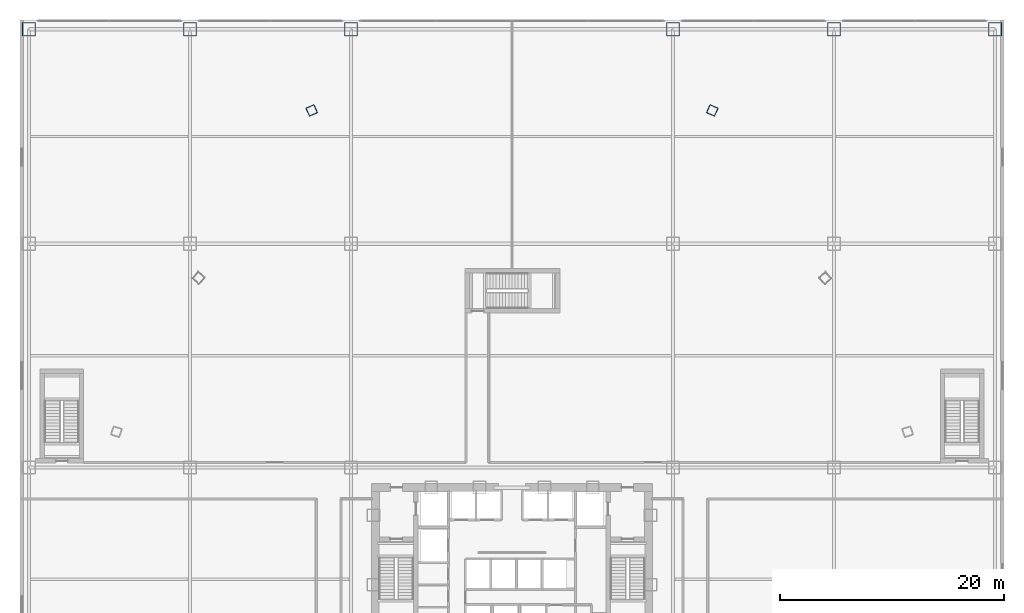
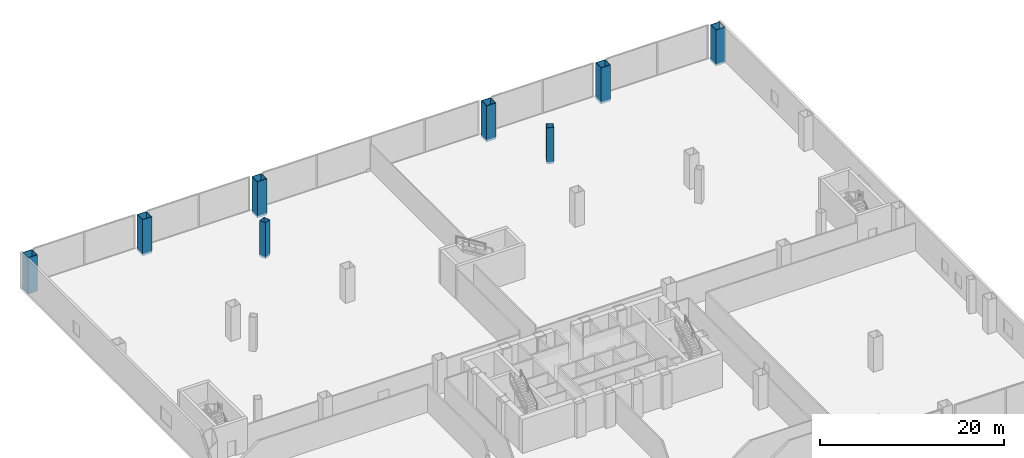
# One storey, part 2 of 40: 8 columns.
"""IFC4 building model written with IfcOpenShell, lengths in metres."""

from ifc_helpers import new_model, si_unit, direction, frame, origin, origin_2d, place, context, subcontext, project, spatial, hollow_rectangle, extrude, source, transform, mapped, material, material_profile, profile_set, type_object, element, save


model = new_model("IFC4")

# Units and contexts
model_context = context("Model", 3, precision=1e-05, world=origin(), true_north=direction((0.0, 1.0)))
body_context = subcontext(model_context, "Body", "Model", "MODEL_VIEW")
ifc_project = project(units=[si_unit("LENGTHUNIT", "METRE"), si_unit("AREAUNIT", "SQUARE_METRE"), si_unit("VOLUMEUNIT", "CUBIC_METRE"), si_unit("PLANEANGLEUNIT", "RADIAN"), si_unit("MASSUNIT", "GRAM", prefix="KILO"), si_unit("THERMODYNAMICTEMPERATUREUNIT", "KELVIN"), si_unit("POWERUNIT", "WATT")], contexts=[model_context])

# Site, building, storey
site_placement = place(None, origin())
site = spatial("IfcSite", under=ifc_project, at=site_placement, CompositionType="ELEMENT")
building_placement = place(site_placement, origin())
building = spatial("IfcBuilding", under=site, at=building_placement, Name="Yunzhuo Pagoda Commons", CompositionType="ELEMENT")
storey_placement = place(building_placement, frame((0.0, 0.0, 14.39990234375)))
storey = spatial("IfcBuildingStorey", under=building, at=storey_placement, Name="L04", CompositionType="ELEMENT", Elevation=14.39990234375)

# Columns
ifc_material = material(Name="Structural steel Q420B", Category="steel")
ifc_material_profile_1 = material_profile(ifc_material, hollow_rectangle(XDim=1.199951171875, YDim=1.199951171875, WallThickness=0.050048828125, at=origin_2d()), Name="Structural steel Q420B")
ifc_profile_set_1 = profile_set([ifc_material_profile_1], Name="Structural steel Q420B")
column_type_1 = type_object("IfcColumnType", Name="C-POD Column BOX 1200x1200x50", PredefinedType="COLUMN", material=ifc_profile_set_1)
shared_shape_1 = source(origin(), body_context, "Body", "SweptSolid", [
    extrude(hollow_rectangle(XDim=1.199951171875, YDim=1.199951171875, WallThickness=0.050048828125, at=origin_2d()), origin(), (0.0, 0.0, 1.0), 4.7998046875),
])
for number, where, z_axis, x_axis, name in (
    (1, (4.800048828125, 81.199951171875, -0.27978515625), (0.0, 0.0, 1.0), (1.0, 0.0, 0.0), "L04 podium column P1_5"),
    (2, (19.199951171875, 81.199951171875, -0.27978515625), (0.0, 0.0, 1.0), (1.0, 0.0, 0.0), "L04 podium column P2_5"),
    (3, (33.60009765625, 81.199951171875, -0.27978515625), (0.0, 0.0, 1.0), (1.0, 0.0, 0.0), "L04 podium column P3_5"),
    (4, (62.39990234375, 81.199951171875, -0.27978515625), (0.0, 0.0, 1.0), (1.0, 0.0, 0.0), "L04 podium column P4_5"),
    (5, (76.800048828125, 81.199951171875, -0.27978515625), (0.0, 0.0, 1.0), (1.0, 0.0, 0.0), "L04 podium column P5_5"),
    (6, (91.199951171875, 81.199951171875, -0.27978515625), (0.0, 0.0, 1.0), (1.0, 0.0, 0.0), "L04 podium column P6_5"),
):
    element("IfcColumn", number, at=place(storey_placement, frame(where, z_axis=z_axis, x_axis=x_axis)), inside=storey, type_object=column_type_1, Name=name, PredefinedType="COLUMN", context=body_context, shape_type="MappedRepresentation", body=[
        mapped(shared_shape_1, transform((0.0, 0.0, 0.0), scale=1.0)),
    ])
ifc_material_profile_2 = material_profile(ifc_material, hollow_rectangle(XDim=0.800048828125, YDim=0.800048828125, WallThickness=0.031982421875, at=origin_2d()), Name="Structural steel Q420B")
ifc_profile_set_2 = profile_set([ifc_material_profile_2], Name="Structural steel Q420B")
column_type_2 = type_object("IfcColumnType", Name="C-BUT Column BOX 800x800x32", PredefinedType="COLUMN", material=ifc_profile_set_2)
shared_shape_2 = source(origin(), body_context, "Body", "SweptSolid", [
    extrude(hollow_rectangle(XDim=0.800048828125, YDim=0.800048828125, WallThickness=0.031982421875, at=origin_2d()), origin(), (0.0, 0.0, 1.0), 4.7998046875),
])
for number, where, z_axis, x_axis, name in (
    (7, (65.91259765625, 73.931884765625, -0.27978515625), (0.0, 0.0, 1.0), (-0.913545457643, 0.406736643076, 0.0), "L04 podium transfer support column PR_F2C4"),
    (8, (30.087890625, 73.931884765625, -0.27978515625), (0.0, 0.0, 1.0), (-0.913545457643, -0.406736643076, 0.0), "L04 podium transfer support column PR_F3C1"),
):
    element("IfcColumn", number, at=place(storey_placement, frame(where, z_axis=z_axis, x_axis=x_axis)), inside=storey, type_object=column_type_2, Name=name, PredefinedType="COLUMN", context=body_context, shape_type="MappedRepresentation", body=[
        mapped(shared_shape_2, transform((0.0, 0.0, 0.0), scale=1.0)),
    ])

save(model, "model.ifc")
